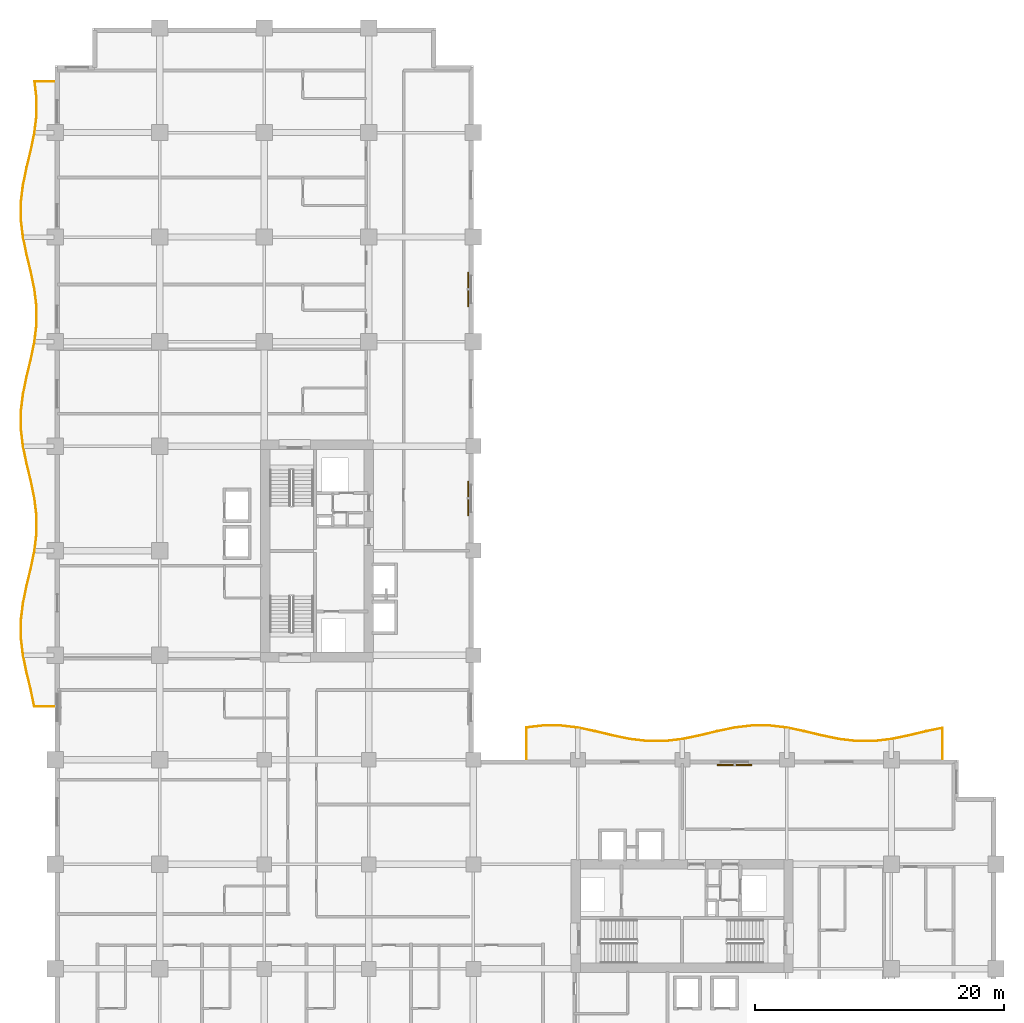
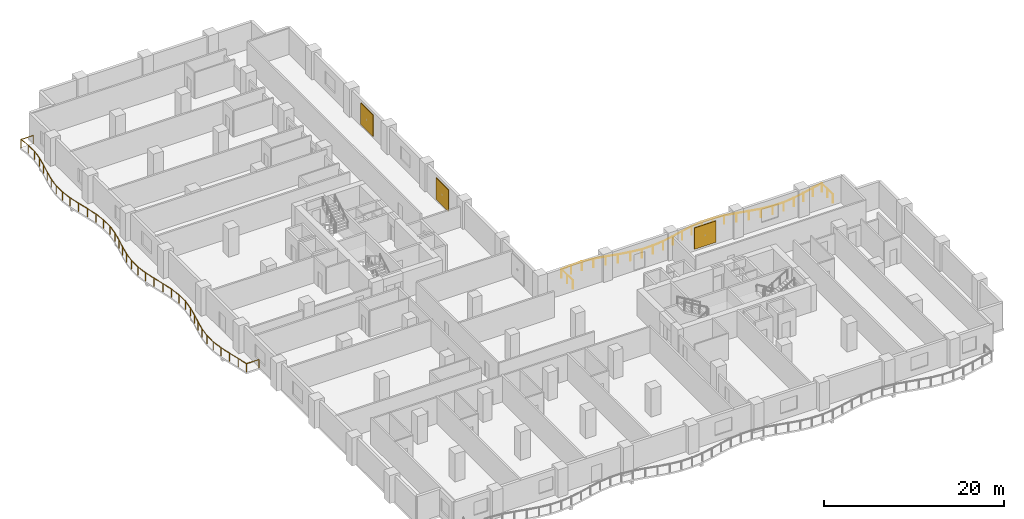
# One storey, part 18 of 18: 3 shading devices, 2 railings.
"""IFC4 building model written with IfcOpenShell, lengths in metres."""

from ifc_helpers import new_model, si_unit, direction, frame, origin, origin_2d, place, context, subcontext, project, spatial, rectangle, circle, extrude, material, layer, layer_set, type_object, element, save


model = new_model("IFC4")

# Units and contexts
model_context = context("Model", 3, precision=1e-05, world=origin(), true_north=direction((0.0, 1.0)))
body_context = subcontext(model_context, "Body", "Model", "MODEL_VIEW")
ifc_project = project(units=[si_unit("LENGTHUNIT", "METRE"), si_unit("AREAUNIT", "SQUARE_METRE"), si_unit("VOLUMEUNIT", "CUBIC_METRE"), si_unit("PLANEANGLEUNIT", "RADIAN"), si_unit("MASSUNIT", "GRAM", prefix="KILO")], contexts=[model_context])

# Site, building, storey
site_placement = place(None, origin())
site = spatial("IfcSite", under=ifc_project, at=site_placement, CompositionType="ELEMENT")
building_placement = place(site_placement, origin())
building = spatial("IfcBuilding", under=site, at=building_placement, Name="Koriwani Terraces Tower", CompositionType="ELEMENT")
storey_placement = place(building_placement, frame((0.0, 0.0, 100.0)))
storey = spatial("IfcBuildingStorey", under=building, at=storey_placement, Name="L23", CompositionType="ELEMENT", Elevation=100.0)

# Railings
ifc_material_1 = material(Name="Steel ASTM A572 Grade 50", Category="steel")
railing_type = type_object("IfcRailingType", Name="GUARD_BALUSTRADE_1150", PredefinedType="BALUSTRADE", material=ifc_material_1)
railing_1_placement = place(storey_placement, frame((-0.080078125, 37.8798828125, 0.0)))
element("IfcRailing", 1, at=railing_1_placement, inside=storey, type_object=railing_type, Name="L23 Balcony Perimeter Safety Balustrade (W)", PredefinedType="BALUSTRADE", context=body_context, shape_type="SweptSolid", body=[
    extrude(circle(Radius=0.02392578125, at=origin_2d()), frame((0.0, 0.0, 1.1259765625), z_axis=(-1.0, 0.0, 0.0), x_axis=(0.0, -1.0, 0.0)), (0.0, 0.0, 1.0), 1.59521484375),
    extrude(circle(Radius=0.02392578125, at=origin_2d()), frame((-1.59521484375, 0.0, 1.1259765625), z_axis=(-0.203704500299, 0.979032418543, 0.0), x_axis=(-0.979032418543, -0.203704500299, 0.0)), (0.0, 0.0, 1.0), 1.3662109375),
    extrude(circle(Radius=0.02392578125, at=origin_2d()), frame((-1.87353515625, 1.337646484375, 1.1259765625), z_axis=(-0.233667958249, 0.972316453264, 0.0), x_axis=(-0.972316453264, -0.233667958249, 0.0)), (0.0, 0.0, 1.0), 1.439697265625),
    extrude(circle(Radius=0.02392578125, at=origin_2d()), frame((-2.2099609375, 2.737548828125, 1.1259765625), z_axis=(-0.203817459967, 0.979008908546, 0.0), x_axis=(-0.979008908546, -0.203817459967, 0.0)), (0.0, 0.0, 1.0), 1.425537109375),
    extrude(circle(Radius=0.02392578125, at=origin_2d()), frame((-2.50048828125, 4.133056640625, 1.1259765625), z_axis=(-0.119296300234, 0.992858697273, 0.0), x_axis=(-0.992858697273, -0.119296300234, 0.0)), (0.0, 0.0, 1.0), 1.40185546875),
    extrude(circle(Radius=0.02392578125, at=origin_2d()), frame((-2.667724609375, 5.52490234375, 1.1259765625), z_axis=(0.0, 1.0, 0.0), x_axis=(-1.0, 0.0, 0.0)), (0.0, 0.0, 1.0), 1.390380859375),
    extrude(circle(Radius=0.02392578125, at=origin_2d()), frame((-2.667724609375, 6.915283203125, 1.1259765625), z_axis=(0.119296300234, 0.992858697273, 0.0), x_axis=(-0.992858697273, 0.119296300234, 0.0)), (0.0, 0.0, 1.0), 1.40185546875),
    extrude(circle(Radius=0.02392578125, at=origin_2d()), frame((-2.50048828125, 8.30712890625, 1.1259765625), z_axis=(0.203817459967, 0.979008908546, 0.0), x_axis=(-0.979008908546, 0.203817459967, 0.0)), (0.0, 0.0, 1.0), 1.425537109375),
    extrude(circle(Radius=0.02392578125, at=origin_2d()), frame((-2.2099609375, 9.70263671875, 1.1259765625), z_axis=(0.233667958249, 0.972316453264, 0.0), x_axis=(-0.972316453264, 0.233667958249, 0.0)), (0.0, 0.0, 1.0), 1.439697265625),
    extrude(circle(Radius=0.02392578125, at=origin_2d()), frame((-1.87353515625, 11.1025390625, 1.1259765625), z_axis=(0.203505770089, 0.979073746732, 0.0), x_axis=(-0.979073746732, 0.203505770089, 0.0)), (0.0, 0.0, 1.0), 1.434814453125),
    extrude(circle(Radius=0.02392578125, at=origin_2d()), frame((-1.58154296875, 12.50732421875, 1.1259765625), z_axis=(0.119308148191, 0.992857273618, 0.0), x_axis=(-0.992857273618, 0.119308148191, 0.0)), (0.0, 0.0, 1.0), 1.41796875),
    extrude(circle(Radius=0.02392578125, at=origin_2d()), frame((-1.412353515625, 13.915283203125, 1.1259765625), z_axis=(0.0, 1.0, 0.0), x_axis=(-1.0, 0.0, 0.0)), (0.0, 0.0, 1.0), 1.40966796875),
    extrude(circle(Radius=0.02392578125, at=origin_2d()), frame((-1.412353515625, 15.324951171875, 1.1259765625), z_axis=(-0.119308148191, 0.992857273618, 0.0), x_axis=(-0.992857273618, -0.119308148191, 0.0)), (0.0, 0.0, 1.0), 1.41796875),
    extrude(circle(Radius=0.02392578125, at=origin_2d()), frame((-1.58154296875, 16.73291015625, 1.1259765625), z_axis=(-0.203505770089, 0.979073746732, 0.0), x_axis=(-0.979073746732, -0.203505770089, 0.0)), (0.0, 0.0, 1.0), 1.434814453125),
    extrude(circle(Radius=0.02392578125, at=origin_2d()), frame((-1.87353515625, 18.1376953125, 1.1259765625), z_axis=(-0.233667958249, 0.972316453264, 0.0), x_axis=(-0.972316453264, -0.233667958249, 0.0)), (0.0, 0.0, 1.0), 1.439697265625),
    extrude(circle(Radius=0.02392578125, at=origin_2d()), frame((-2.2099609375, 19.53759765625, 1.1259765625), z_axis=(-0.203817459967, 0.979008908546, 0.0), x_axis=(-0.979008908546, -0.203817459967, 0.0)), (0.0, 0.0, 1.0), 1.425537109375),
    extrude(circle(Radius=0.02392578125, at=origin_2d()), frame((-2.50048828125, 20.93310546875, 1.1259765625), z_axis=(-0.119296300234, 0.992858697273, 0.0), x_axis=(-0.992858697273, -0.119296300234, 0.0)), (0.0, 0.0, 1.0), 1.40185546875),
    extrude(circle(Radius=0.02392578125, at=origin_2d()), frame((-2.667724609375, 22.324951171875, 1.1259765625), z_axis=(0.0, 1.0, 0.0), x_axis=(-1.0, 0.0, 0.0)), (0.0, 0.0, 1.0), 1.390380859375),
    extrude(circle(Radius=0.02392578125, at=origin_2d()), frame((-2.667724609375, 23.71533203125, 1.1259765625), z_axis=(0.119296300234, 0.992858697273, 0.0), x_axis=(-0.992858697273, 0.119296300234, 0.0)), (0.0, 0.0, 1.0), 1.40185546875),
    extrude(circle(Radius=0.02392578125, at=origin_2d()), frame((-2.50048828125, 25.107177734375, 1.1259765625), z_axis=(0.203817459967, 0.979008908546, 0.0), x_axis=(-0.979008908546, 0.203817459967, 0.0)), (0.0, 0.0, 1.0), 1.425537109375),
    extrude(circle(Radius=0.02392578125, at=origin_2d()), frame((-2.2099609375, 26.502685546875, 1.1259765625), z_axis=(0.233667958249, 0.972316453264, 0.0), x_axis=(-0.972316453264, 0.233667958249, 0.0)), (0.0, 0.0, 1.0), 1.439697265625),
    extrude(circle(Radius=0.02392578125, at=origin_2d()), frame((-1.87353515625, 27.902587890625, 1.1259765625), z_axis=(0.203539678581, 0.979066698056, 0.0), x_axis=(-0.979066698056, 0.203539678581, 0.0)), (0.0, 0.0, 1.0), 1.4345703125),
    extrude(circle(Radius=0.02392578125, at=origin_2d()), frame((-1.58154296875, 29.30712890625, 1.1259765625), z_axis=(0.119287758056, 0.992859723616, 0.0), x_axis=(-0.992859723616, 0.119287758056, 0.0)), (0.0, 0.0, 1.0), 1.418212890625),
    extrude(circle(Radius=0.02392578125, at=origin_2d()), frame((-1.412353515625, 30.71533203125, 1.1259765625), z_axis=(0.0, 1.0, 0.0), x_axis=(-1.0, 0.0, 0.0)), (0.0, 0.0, 1.0), 1.40966796875),
    extrude(circle(Radius=0.02392578125, at=origin_2d()), frame((-1.412353515625, 32.125, 1.1259765625), z_axis=(-0.119308148191, 0.992857273618, 0.0), x_axis=(-0.992857273618, -0.119308148191, 0.0)), (0.0, 0.0, 1.0), 1.41796875),
    extrude(circle(Radius=0.02392578125, at=origin_2d()), frame((-1.58154296875, 33.532958984375, 1.1259765625), z_axis=(-0.203539678581, 0.979066698056, 0.0), x_axis=(-0.979066698056, -0.203539678581, 0.0)), (0.0, 0.0, 1.0), 1.4345703125),
    extrude(circle(Radius=0.02392578125, at=origin_2d()), frame((-1.87353515625, 34.9375, 1.1259765625), z_axis=(-0.233629438166, 0.972325709638, 0.0), x_axis=(-0.972325709638, -0.233629438166, 0.0)), (0.0, 0.0, 1.0), 1.43994140625),
    extrude(circle(Radius=0.02392578125, at=origin_2d()), frame((-2.2099609375, 36.337646484375, 1.1259765625), z_axis=(-0.20385164167, 0.979001791719, 0.0), x_axis=(-0.979001791719, -0.20385164167, 0.0)), (0.0, 0.0, 1.0), 1.42529296875),
    extrude(circle(Radius=0.02392578125, at=origin_2d()), frame((-2.50048828125, 37.73291015625, 1.1259765625), z_axis=(-0.119275676073, 0.992861175138, 0.0), x_axis=(-0.992861175138, -0.119275676073, 0.0)), (0.0, 0.0, 1.0), 1.402099609375),
    extrude(circle(Radius=0.02392578125, at=origin_2d()), frame((-2.667724609375, 39.125, 1.1259765625), z_axis=(0.0, 1.0, 0.0), x_axis=(-1.0, 0.0, 0.0)), (0.0, 0.0, 1.0), 1.390380859375),
    extrude(circle(Radius=0.02392578125, at=origin_2d()), frame((-2.667724609375, 40.515380859375, 1.1259765625), z_axis=(0.119296300234, 0.992858697273, 0.0), x_axis=(-0.992858697273, 0.119296300234, 0.0)), (0.0, 0.0, 1.0), 1.40185546875),
    extrude(circle(Radius=0.02392578125, at=origin_2d()), frame((-2.50048828125, 41.9072265625, 1.1259765625), z_axis=(0.203817459967, 0.979008908546, 0.0), x_axis=(-0.979008908546, 0.203817459967, 0.0)), (0.0, 0.0, 1.0), 1.425537109375),
    extrude(circle(Radius=0.02392578125, at=origin_2d()), frame((-2.2099609375, 43.302734375, 1.1259765625), z_axis=(0.233667958249, 0.972316453264, 0.0), x_axis=(-0.972316453264, 0.233667958249, 0.0)), (0.0, 0.0, 1.0), 1.439697265625),
    extrude(circle(Radius=0.02392578125, at=origin_2d()), frame((-1.87353515625, 44.70263671875, 1.1259765625), z_axis=(0.203539678581, 0.979066698056, 0.0), x_axis=(-0.979066698056, 0.203539678581, 0.0)), (0.0, 0.0, 1.0), 1.4345703125),
    extrude(circle(Radius=0.02392578125, at=origin_2d()), frame((-1.58154296875, 46.107177734375, 1.1259765625), z_axis=(0.119287758056, 0.992859723616, 0.0), x_axis=(-0.992859723616, 0.119287758056, 0.0)), (0.0, 0.0, 1.0), 1.418212890625),
    extrude(circle(Radius=0.02392578125, at=origin_2d()), frame((-1.412353515625, 47.515380859375, 1.1259765625), z_axis=(0.0, 1.0, 0.0), x_axis=(-1.0, 0.0, 0.0)), (0.0, 0.0, 1.0), 1.409423828125),
    extrude(circle(Radius=0.02392578125, at=origin_2d()), frame((-1.412353515625, 48.9248046875, 1.1259765625), z_axis=(-0.11904348932, 0.992889040956, 0.0), x_axis=(-0.992889040956, -0.11904348932, 0.0)), (0.0, 0.0, 1.0), 1.324951171875),
    extrude(circle(Radius=0.02392578125, at=origin_2d()), frame((-1.570068359375, 50.240234375, 1.1259765625), z_axis=(1.0, 0.0, 0.0), x_axis=(0.0, 1.0, 0.0)), (0.0, 0.0, 1.0), 1.570068359375),
    extrude(circle(Radius=0.02099609375, at=origin_2d()), origin(), (0.0, 0.0, 1.0), 1.101806640625),
    extrude(circle(Radius=0.02099609375, at=origin_2d()), frame((-1.59521484375, 0.0, 0.0)), (0.0, 0.0, 1.0), 1.101806640625),
    extrude(circle(Radius=0.02099609375, at=origin_2d()), frame((-1.87353515625, 1.337646484375, 0.0)), (0.0, 0.0, 1.0), 1.101806640625),
    extrude(circle(Radius=0.02099609375, at=origin_2d()), frame((-2.2099609375, 2.737548828125, 0.0)), (0.0, 0.0, 1.0), 1.101806640625),
    extrude(circle(Radius=0.02099609375, at=origin_2d()), frame((-2.50048828125, 4.133056640625, 0.0)), (0.0, 0.0, 1.0), 1.101806640625),
    extrude(circle(Radius=0.02099609375, at=origin_2d()), frame((-2.667724609375, 5.52490234375, 0.0)), (0.0, 0.0, 1.0), 1.101806640625),
    extrude(circle(Radius=0.02099609375, at=origin_2d()), frame((-2.667724609375, 6.915283203125, 0.0)), (0.0, 0.0, 1.0), 1.101806640625),
    extrude(circle(Radius=0.02099609375, at=origin_2d()), frame((-2.50048828125, 8.30712890625, 0.0)), (0.0, 0.0, 1.0), 1.101806640625),
    extrude(circle(Radius=0.02099609375, at=origin_2d()), frame((-2.2099609375, 9.70263671875, 0.0)), (0.0, 0.0, 1.0), 1.101806640625),
    extrude(circle(Radius=0.02099609375, at=origin_2d()), frame((-1.87353515625, 11.1025390625, 0.0)), (0.0, 0.0, 1.0), 1.101806640625),
    extrude(circle(Radius=0.02099609375, at=origin_2d()), frame((-1.58154296875, 12.50732421875, 0.0)), (0.0, 0.0, 1.0), 1.101806640625),
    extrude(circle(Radius=0.02099609375, at=origin_2d()), frame((-1.412353515625, 13.915283203125, 0.0)), (0.0, 0.0, 1.0), 1.101806640625),
    extrude(circle(Radius=0.02099609375, at=origin_2d()), frame((-1.412353515625, 15.324951171875, 0.0)), (0.0, 0.0, 1.0), 1.101806640625),
    extrude(circle(Radius=0.02099609375, at=origin_2d()), frame((-1.58154296875, 16.73291015625, 0.0)), (0.0, 0.0, 1.0), 1.101806640625),
    extrude(circle(Radius=0.02099609375, at=origin_2d()), frame((-1.87353515625, 18.1376953125, 0.0)), (0.0, 0.0, 1.0), 1.101806640625),
    extrude(circle(Radius=0.02099609375, at=origin_2d()), frame((-2.2099609375, 19.53759765625, 0.0)), (0.0, 0.0, 1.0), 1.101806640625),
    extrude(circle(Radius=0.02099609375, at=origin_2d()), frame((-2.50048828125, 20.93310546875, 0.0)), (0.0, 0.0, 1.0), 1.101806640625),
    extrude(circle(Radius=0.02099609375, at=origin_2d()), frame((-2.667724609375, 22.324951171875, 0.0)), (0.0, 0.0, 1.0), 1.101806640625),
    extrude(circle(Radius=0.02099609375, at=origin_2d()), frame((-2.667724609375, 23.71533203125, 0.0)), (0.0, 0.0, 1.0), 1.101806640625),
    extrude(circle(Radius=0.02099609375, at=origin_2d()), frame((-2.50048828125, 25.107177734375, 0.0)), (0.0, 0.0, 1.0), 1.101806640625),
    extrude(circle(Radius=0.02099609375, at=origin_2d()), frame((-2.2099609375, 26.502685546875, 0.0)), (0.0, 0.0, 1.0), 1.101806640625),
    extrude(circle(Radius=0.02099609375, at=origin_2d()), frame((-1.87353515625, 27.902587890625, 0.0)), (0.0, 0.0, 1.0), 1.101806640625),
    extrude(circle(Radius=0.02099609375, at=origin_2d()), frame((-1.58154296875, 29.30712890625, 0.0)), (0.0, 0.0, 1.0), 1.101806640625),
    extrude(circle(Radius=0.02099609375, at=origin_2d()), frame((-1.412353515625, 30.71533203125, 0.0)), (0.0, 0.0, 1.0), 1.101806640625),
    extrude(circle(Radius=0.02099609375, at=origin_2d()), frame((-1.412353515625, 32.125, 0.0)), (0.0, 0.0, 1.0), 1.101806640625),
    extrude(circle(Radius=0.02099609375, at=origin_2d()), frame((-1.58154296875, 33.532958984375, 0.0)), (0.0, 0.0, 1.0), 1.101806640625),
    extrude(circle(Radius=0.02099609375, at=origin_2d()), frame((-1.87353515625, 34.9375, 0.0)), (0.0, 0.0, 1.0), 1.101806640625),
    extrude(circle(Radius=0.02099609375, at=origin_2d()), frame((-2.2099609375, 36.337646484375, 0.0)), (0.0, 0.0, 1.0), 1.101806640625),
    extrude(circle(Radius=0.02099609375, at=origin_2d()), frame((-2.50048828125, 37.73291015625, 0.0)), (0.0, 0.0, 1.0), 1.101806640625),
    extrude(circle(Radius=0.02099609375, at=origin_2d()), frame((-2.667724609375, 39.125, 0.0)), (0.0, 0.0, 1.0), 1.101806640625),
    extrude(circle(Radius=0.02099609375, at=origin_2d()), frame((-2.667724609375, 40.515380859375, 0.0)), (0.0, 0.0, 1.0), 1.101806640625),
    extrude(circle(Radius=0.02099609375, at=origin_2d()), frame((-2.50048828125, 41.9072265625, 0.0)), (0.0, 0.0, 1.0), 1.101806640625),
    extrude(circle(Radius=0.02099609375, at=origin_2d()), frame((-2.2099609375, 43.302734375, 0.0)), (0.0, 0.0, 1.0), 1.101806640625),
    extrude(circle(Radius=0.02099609375, at=origin_2d()), frame((-1.87353515625, 44.70263671875, 0.0)), (0.0, 0.0, 1.0), 1.101806640625),
    extrude(circle(Radius=0.02099609375, at=origin_2d()), frame((-1.58154296875, 46.107177734375, 0.0)), (0.0, 0.0, 1.0), 1.101806640625),
    extrude(circle(Radius=0.02099609375, at=origin_2d()), frame((-1.412353515625, 47.515380859375, 0.0)), (0.0, 0.0, 1.0), 1.101806640625),
    extrude(circle(Radius=0.02099609375, at=origin_2d()), frame((-1.412353515625, 48.9248046875, 0.0)), (0.0, 0.0, 1.0), 1.101806640625),
    extrude(circle(Radius=0.02099609375, at=origin_2d()), frame((-1.570068359375, 50.240234375, 0.0)), (0.0, 0.0, 1.0), 1.101806640625),
    extrude(circle(Radius=0.02099609375, at=origin_2d()), frame((0.0, 50.240234375, 0.0)), (0.0, 0.0, 1.0), 1.101806640625),
])
railing_2_placement = place(storey_placement, frame((71.320068359375, 33.679931640625, 0.0)))
element("IfcRailing", 2, at=railing_2_placement, inside=storey, type_object=railing_type, Name="L23 Balcony Perimeter Safety Balustrade (NE)", PredefinedType="BALUSTRADE", context=body_context, shape_type="SweptSolid", body=[
    extrude(circle(Radius=0.02392578125, at=origin_2d()), frame((0.0, 0.0, 1.1259765625), z_axis=(0.0, 1.0, 0.0), x_axis=(-1.0, 0.0, 0.0)), (0.0, 0.0, 1.0), 2.481201171875),
    extrude(circle(Radius=0.02392578125, at=origin_2d()), frame((0.0, 2.481201171875, 1.1259765625), z_axis=(-0.979033821265, -0.203697758501, 0.0), x_axis=(0.203697758501, -0.979033821265, 0.0)), (0.0, 0.0, 1.0), 1.330322265625),
    extrude(circle(Radius=0.02392578125, at=origin_2d()), frame((-1.302490234375, 2.210205078125, 1.1259765625), z_axis=(-0.972325709638, -0.233629438166, 0.0), x_axis=(0.233629438166, -0.972325709638, 0.0)), (0.0, 0.0, 1.0), 1.43994140625),
    extrude(circle(Radius=0.02392578125, at=origin_2d()), frame((-2.70263671875, 1.873779296875, 1.1259765625), z_axis=(-0.979032771622, -0.203702803343, 0.0), x_axis=(0.203702803343, -0.979032771622, 0.0)), (0.0, 0.0, 1.0), 1.4345703125),
    extrude(circle(Radius=0.02392578125, at=origin_2d()), frame((-4.107177734375, 1.58154296875, 1.1259765625), z_axis=(-0.992859723616, -0.119287758056, 0.0), x_axis=(0.119287758056, -0.992859723616, 0.0)), (0.0, 0.0, 1.0), 1.418212890625),
    extrude(circle(Radius=0.02392578125, at=origin_2d()), frame((-5.515380859375, 1.412353515625, 1.1259765625), z_axis=(-1.0, 0.0, 0.0), x_axis=(0.0, -1.0, 0.0)), (0.0, 0.0, 1.0), 1.409423828125),
    extrude(circle(Radius=0.02392578125, at=origin_2d()), frame((-6.9248046875, 1.412353515625, 1.1259765625), z_axis=(-0.992859723616, 0.119287758056, 0.0), x_axis=(-0.119287758056, -0.992859723616, 0.0)), (0.0, 0.0, 1.0), 1.418212890625),
    extrude(circle(Radius=0.02392578125, at=origin_2d()), frame((-8.3330078125, 1.58154296875, 1.1259765625), z_axis=(-0.979032771622, 0.203702803343, 0.0), x_axis=(-0.203702803343, -0.979032771622, 0.0)), (0.0, 0.0, 1.0), 1.4345703125),
    extrude(circle(Radius=0.02392578125, at=origin_2d()), frame((-9.737548828125, 1.873779296875, 1.1259765625), z_axis=(-0.972316453264, 0.233667958249, 0.0), x_axis=(-0.233667958249, -0.972316453264, 0.0)), (0.0, 0.0, 1.0), 1.439697265625),
    extrude(circle(Radius=0.02392578125, at=origin_2d()), frame((-11.137451171875, 2.210205078125, 1.1259765625), z_axis=(-0.979008908546, 0.203817459967, 0.0), x_axis=(-0.203817459967, -0.979008908546, 0.0)), (0.0, 0.0, 1.0), 1.425537109375),
    extrude(circle(Radius=0.02392578125, at=origin_2d()), frame((-12.532958984375, 2.500732421875, 1.1259765625), z_axis=(-0.992858697273, 0.119296300234, 0.0), x_axis=(-0.119296300234, -0.992858697273, 0.0)), (0.0, 0.0, 1.0), 1.40185546875),
    extrude(circle(Radius=0.02392578125, at=origin_2d()), frame((-13.9248046875, 2.66796875, 1.1259765625), z_axis=(-1.0, 0.0, 0.0), x_axis=(0.0, -1.0, 0.0)), (0.0, 0.0, 1.0), 1.390380859375),
    extrude(circle(Radius=0.02392578125, at=origin_2d()), frame((-15.315185546875, 2.66796875, 1.1259765625), z_axis=(-0.992861175138, -0.119275676073, 0.0), x_axis=(0.119275676073, -0.992861175138, 0.0)), (0.0, 0.0, 1.0), 1.402099609375),
    extrude(circle(Radius=0.02392578125, at=origin_2d()), frame((-16.707275390625, 2.500732421875, 1.1259765625), z_axis=(-0.979001791719, -0.20385164167, 0.0), x_axis=(0.20385164167, -0.979001791719, 0.0)), (0.0, 0.0, 1.0), 1.42529296875),
    extrude(circle(Radius=0.02392578125, at=origin_2d()), frame((-18.1025390625, 2.210205078125, 1.1259765625), z_axis=(-0.972325709638, -0.233629438166, 0.0), x_axis=(0.233629438166, -0.972325709638, 0.0)), (0.0, 0.0, 1.0), 1.43994140625),
    extrude(circle(Radius=0.02392578125, at=origin_2d()), frame((-19.502685546875, 1.873779296875, 1.1259765625), z_axis=(-0.979032771622, -0.203702803343, 0.0), x_axis=(0.203702803343, -0.979032771622, 0.0)), (0.0, 0.0, 1.0), 1.4345703125),
    extrude(circle(Radius=0.02392578125, at=origin_2d()), frame((-20.9072265625, 1.58154296875, 1.1259765625), z_axis=(-0.992857273618, -0.119308148191, 0.0), x_axis=(0.119308148191, -0.992857273618, 0.0)), (0.0, 0.0, 1.0), 1.41796875),
    extrude(circle(Radius=0.02392578125, at=origin_2d()), frame((-22.315185546875, 1.412353515625, 1.1259765625), z_axis=(-1.0, 0.0, 0.0), x_axis=(0.0, -1.0, 0.0)), (0.0, 0.0, 1.0), 1.40966796875),
    extrude(circle(Radius=0.02392578125, at=origin_2d()), frame((-23.724853515625, 1.412353515625, 1.1259765625), z_axis=(-0.992859723616, 0.119287758056, 0.0), x_axis=(-0.119287758056, -0.992859723616, 0.0)), (0.0, 0.0, 1.0), 1.418212890625),
    extrude(circle(Radius=0.02392578125, at=origin_2d()), frame((-25.133056640625, 1.58154296875, 1.1259765625), z_axis=(-0.979032771622, 0.203702803343, 0.0), x_axis=(-0.203702803343, -0.979032771622, 0.0)), (0.0, 0.0, 1.0), 1.4345703125),
    extrude(circle(Radius=0.02392578125, at=origin_2d()), frame((-26.53759765625, 1.873779296875, 1.1259765625), z_axis=(-0.972316453264, 0.233667958249, 0.0), x_axis=(-0.233667958249, -0.972316453264, 0.0)), (0.0, 0.0, 1.0), 1.439697265625),
    extrude(circle(Radius=0.02392578125, at=origin_2d()), frame((-27.9375, 2.210205078125, 1.1259765625), z_axis=(-0.979008908546, 0.203817459967, 0.0), x_axis=(-0.203817459967, -0.979008908546, 0.0)), (0.0, 0.0, 1.0), 1.425537109375),
    extrude(circle(Radius=0.02392578125, at=origin_2d()), frame((-29.3330078125, 2.500732421875, 1.1259765625), z_axis=(-0.992858697273, 0.119296300234, 0.0), x_axis=(-0.119296300234, -0.992858697273, 0.0)), (0.0, 0.0, 1.0), 1.40185546875),
    extrude(circle(Radius=0.02392578125, at=origin_2d()), frame((-30.724853515625, 2.66796875, 1.1259765625), z_axis=(-1.0, 0.0, 0.0), x_axis=(0.0, -1.0, 0.0)), (0.0, 0.0, 1.0), 1.390380859375),
    extrude(circle(Radius=0.02392578125, at=origin_2d()), frame((-32.115234375, 2.66796875, 1.1259765625), z_axis=(-0.992860380993, -0.119282286421, 0.0), x_axis=(0.119282286421, -0.992860380993, 0.0)), (0.0, 0.0, 1.0), 1.33447265625),
    extrude(circle(Radius=0.02392578125, at=origin_2d()), frame((-33.440185546875, 2.5087890625, 1.1259765625), z_axis=(0.0, -1.0, 0.0), x_axis=(1.0, 0.0, 0.0)), (0.0, 0.0, 1.0), 2.5087890625),
    extrude(circle(Radius=0.02099609375, at=origin_2d()), origin(), (0.0, 0.0, 1.0), 1.101806640625),
    extrude(circle(Radius=0.02099609375, at=origin_2d()), frame((0.0, 1.24072265625, 0.0)), (0.0, 0.0, 1.0), 1.101806640625),
    extrude(circle(Radius=0.02099609375, at=origin_2d()), frame((0.0, 2.481201171875, 0.0)), (0.0, 0.0, 1.0), 1.101806640625),
    extrude(circle(Radius=0.02099609375, at=origin_2d()), frame((-1.302490234375, 2.210205078125, 0.0)), (0.0, 0.0, 1.0), 1.101806640625),
    extrude(circle(Radius=0.02099609375, at=origin_2d()), frame((-2.70263671875, 1.873779296875, 0.0)), (0.0, 0.0, 1.0), 1.101806640625),
    extrude(circle(Radius=0.02099609375, at=origin_2d()), frame((-4.107177734375, 1.58154296875, 0.0)), (0.0, 0.0, 1.0), 1.101806640625),
    extrude(circle(Radius=0.02099609375, at=origin_2d()), frame((-5.515380859375, 1.412353515625, 0.0)), (0.0, 0.0, 1.0), 1.101806640625),
    extrude(circle(Radius=0.02099609375, at=origin_2d()), frame((-6.9248046875, 1.412353515625, 0.0)), (0.0, 0.0, 1.0), 1.101806640625),
    extrude(circle(Radius=0.02099609375, at=origin_2d()), frame((-8.3330078125, 1.58154296875, 0.0)), (0.0, 0.0, 1.0), 1.101806640625),
    extrude(circle(Radius=0.02099609375, at=origin_2d()), frame((-9.737548828125, 1.873779296875, 0.0)), (0.0, 0.0, 1.0), 1.101806640625),
    extrude(circle(Radius=0.02099609375, at=origin_2d()), frame((-11.137451171875, 2.210205078125, 0.0)), (0.0, 0.0, 1.0), 1.101806640625),
    extrude(circle(Radius=0.02099609375, at=origin_2d()), frame((-12.532958984375, 2.500732421875, 0.0)), (0.0, 0.0, 1.0), 1.101806640625),
    extrude(circle(Radius=0.02099609375, at=origin_2d()), frame((-13.9248046875, 2.66796875, 0.0)), (0.0, 0.0, 1.0), 1.101806640625),
    extrude(circle(Radius=0.02099609375, at=origin_2d()), frame((-15.315185546875, 2.66796875, 0.0)), (0.0, 0.0, 1.0), 1.101806640625),
    extrude(circle(Radius=0.02099609375, at=origin_2d()), frame((-16.707275390625, 2.500732421875, 0.0)), (0.0, 0.0, 1.0), 1.101806640625),
    extrude(circle(Radius=0.02099609375, at=origin_2d()), frame((-18.1025390625, 2.210205078125, 0.0)), (0.0, 0.0, 1.0), 1.101806640625),
    extrude(circle(Radius=0.02099609375, at=origin_2d()), frame((-19.502685546875, 1.873779296875, 0.0)), (0.0, 0.0, 1.0), 1.101806640625),
    extrude(circle(Radius=0.02099609375, at=origin_2d()), frame((-20.9072265625, 1.58154296875, 0.0)), (0.0, 0.0, 1.0), 1.101806640625),
    extrude(circle(Radius=0.02099609375, at=origin_2d()), frame((-22.315185546875, 1.412353515625, 0.0)), (0.0, 0.0, 1.0), 1.101806640625),
    extrude(circle(Radius=0.02099609375, at=origin_2d()), frame((-23.724853515625, 1.412353515625, 0.0)), (0.0, 0.0, 1.0), 1.101806640625),
    extrude(circle(Radius=0.02099609375, at=origin_2d()), frame((-25.133056640625, 1.58154296875, 0.0)), (0.0, 0.0, 1.0), 1.101806640625),
    extrude(circle(Radius=0.02099609375, at=origin_2d()), frame((-26.53759765625, 1.873779296875, 0.0)), (0.0, 0.0, 1.0), 1.101806640625),
    extrude(circle(Radius=0.02099609375, at=origin_2d()), frame((-27.9375, 2.210205078125, 0.0)), (0.0, 0.0, 1.0), 1.101806640625),
    extrude(circle(Radius=0.02099609375, at=origin_2d()), frame((-29.3330078125, 2.500732421875, 0.0)), (0.0, 0.0, 1.0), 1.101806640625),
    extrude(circle(Radius=0.02099609375, at=origin_2d()), frame((-30.724853515625, 2.66796875, 0.0)), (0.0, 0.0, 1.0), 1.101806640625),
    extrude(circle(Radius=0.02099609375, at=origin_2d()), frame((-32.115234375, 2.66796875, 0.0)), (0.0, 0.0, 1.0), 1.101806640625),
    extrude(circle(Radius=0.02099609375, at=origin_2d()), frame((-33.440185546875, 2.5087890625, 0.0)), (0.0, 0.0, 1.0), 1.101806640625),
    extrude(circle(Radius=0.02099609375, at=origin_2d()), frame((-33.440185546875, 1.25439453125, 0.0)), (0.0, 0.0, 1.0), 1.101806640625),
    extrude(circle(Radius=0.02099609375, at=origin_2d()), frame((-33.440185546875, 0.0, 0.0)), (0.0, 0.0, 1.0), 1.101806640625),
])

# Shading devices
ifc_material_2 = material(Name="Extruded Terracotta Clay", Category="masonry")
ifc_layer = layer(ifc_material_2, 0.1201171875, Name="Extruded Terracotta Clay")
ifc_layer_set = layer_set([ifc_layer], Name="Extruded Terracotta Clay")
shading_device_type = type_object("IfcShadingDeviceType", Name="TERRACOTTA_BAGUETTE_SCREEN_2800", PredefinedType="USERDEFINED", material=ifc_layer_set)
for number, where, z_axis, x_axis, name in (
    (3, (33.195068359375, 54.60009765625, 0.324951171875), (0.0, 0.0, 1.0), (0.0, -1.0, 0.0), "L23 Extruded Terracotta Baguette Screen (NW_IN-8)"),
    (4, (33.195068359375, 71.39990234375, 0.324951171875), (0.0, 0.0, 1.0), (0.0, -1.0, 0.0), "L23 Extruded Terracotta Baguette Screen (NW_IN-14)"),
    (5, (54.60009765625, 33.195068359375, 0.324951171875), (0.0, 0.0, 1.0), (1.0, 0.0, 0.0), "L23 Extruded Terracotta Baguette Screen (NE-8)"),
):
    element("IfcShadingDevice", number, at=place(storey_placement, frame(where, z_axis=z_axis, x_axis=x_axis)), inside=storey, type_object=shading_device_type, Name=name, ObjectType="BAGUETTE", PredefinedType="USERDEFINED", context=body_context, shape_type="SweptSolid", body=[
        extrude(rectangle(XDim=2.760009765625, YDim=0.1201171875, at=origin_2d()), origin(), (0.0, 0.0, 1.0), 2.89990234375),
    ])

save(model, "model.ifc")
